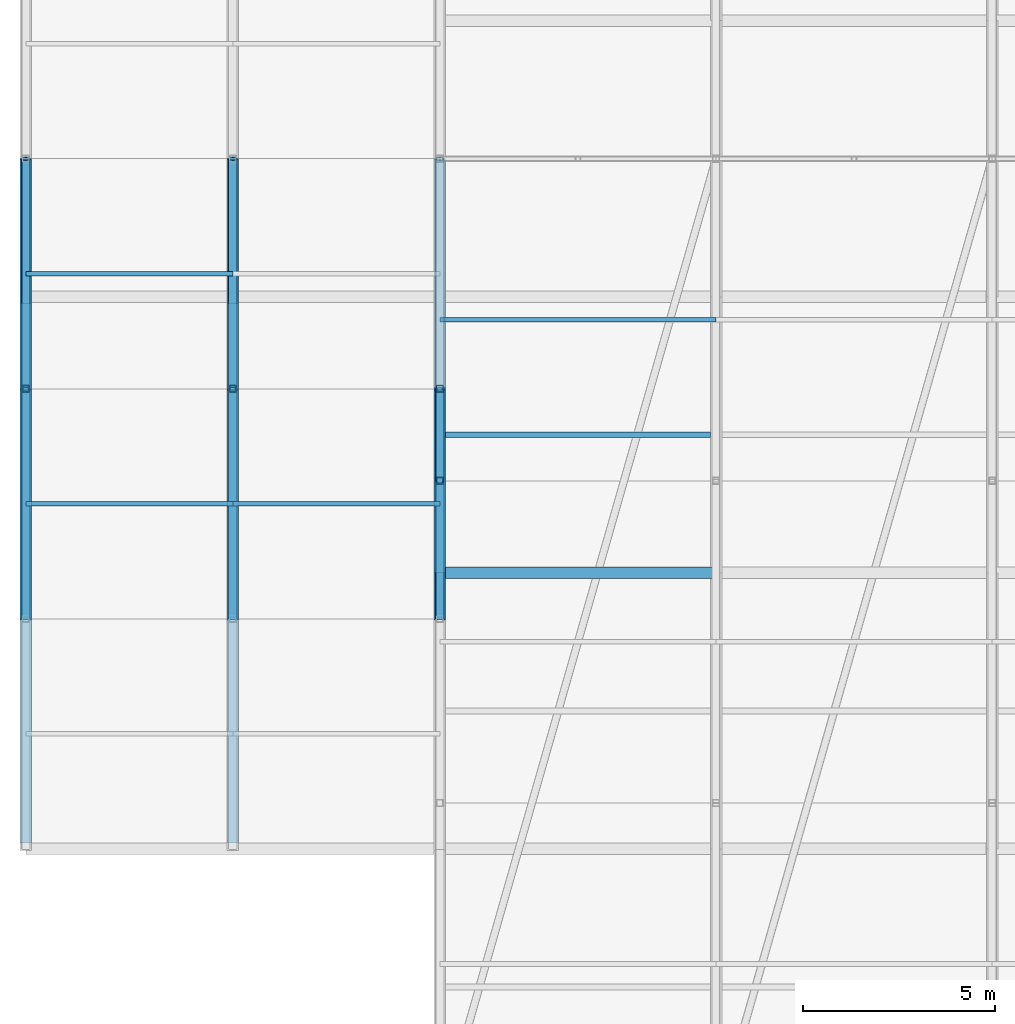
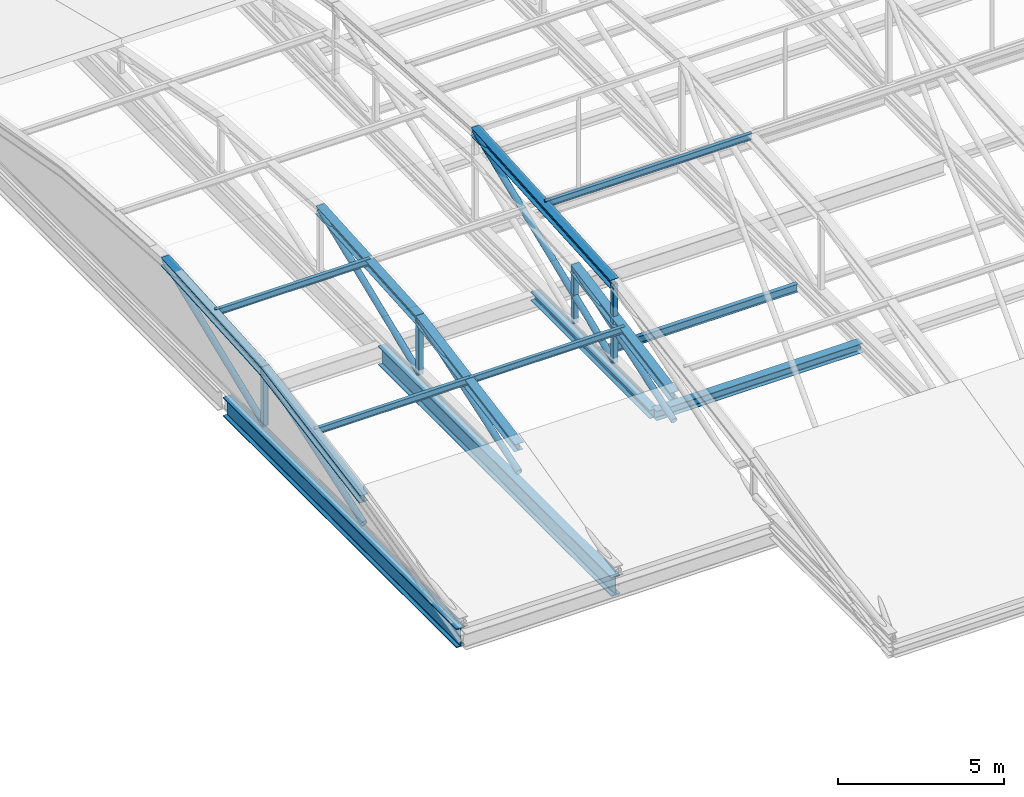
# One storey, part 21 of 76: 16 members, 9 beams.
"""IFC4 building model written with IfcOpenShell, lengths in metres."""

from ifc_helpers import new_model, si_unit, direction, frame, origin, origin_2d, place, context, subcontext, project, spatial, hollow_rectangle, hollow_circle, i_section, extrude, material, material_profile, profile_set, type_object, element, save


model = new_model("IFC4")

# Units and contexts
model_context = context("Model", 3, precision=1e-05, world=origin(), true_north=direction((0.0, 1.0)))
body_context = subcontext(model_context, "Body", "Model", "MODEL_VIEW")
ifc_project = project(units=[si_unit("LENGTHUNIT", "METRE"), si_unit("AREAUNIT", "SQUARE_METRE"), si_unit("VOLUMEUNIT", "CUBIC_METRE"), si_unit("PLANEANGLEUNIT", "RADIAN"), si_unit("MASSUNIT", "GRAM", prefix="KILO")], contexts=[model_context])

# Site, building, storey
site_placement = place(None, origin())
site = spatial("IfcSite", under=ifc_project, at=site_placement, CompositionType="ELEMENT")
building_placement = place(site_placement, origin())
building = spatial("IfcBuilding", under=site, at=building_placement, Name="Zlatovets Crest Museum", CompositionType="ELEMENT")
storey_placement = place(building_placement, frame((0.0, 0.0, 17.10009765625)))
storey = spatial("IfcBuildingStorey", under=building, at=storey_placement, Name="L04", CompositionType="ELEMENT", Elevation=17.10009765625)

# Beams
ifc_material = material(Name="Structural steel S355J2", Category="steel")
ifc_material_profile_1 = material_profile(ifc_material, i_section(OverallWidth=0.300048828125, OverallDepth=0.35009765625, WebThickness=0.010009765625, FlangeThickness=0.017578125, FilletRadius=0.027099609375, at=origin_2d()), Name="HEA 360")
ifc_profile_set_1 = profile_set([ifc_material_profile_1], Name="Structural steel S355J2")
beam_type_1 = type_object("IfcBeamType", Name="Beam_B-03", PredefinedType="BEAM", material=ifc_profile_set_1)
beam_1_placement = place(storey_placement, frame((7.199951171875, 64.800048828125, -0.39501953125), z_axis=(1.0, 0.0, 0.0), x_axis=(0.0, 1.0, 0.0)))
element("IfcBeam", 1, at=beam_1_placement, inside=storey, type_object=beam_type_1, Name="V4 L04 Primary Girder B-03", PredefinedType="BEAM", context=body_context, shape_type="SweptSolid", body=[
    extrude(i_section(OverallWidth=0.300048828125, OverallDepth=0.35009765625, WebThickness=0.010009765625, FlangeThickness=0.017578125, FilletRadius=0.027099609375, at=origin_2d()), origin(), (0.0, 0.0, 1.0), 7.199951171875),
])
ifc_material_profile_2 = material_profile(ifc_material, i_section(OverallWidth=0.300048828125, OverallDepth=0.31005859375, WebThickness=0.009033203125, FlangeThickness=0.015380859375, FilletRadius=0.027099609375, at=origin_2d()), Name="HEA 320")
ifc_profile_set_2 = profile_set([ifc_material_profile_2], Name="Structural steel S355J2")
beam_type_2 = type_object("IfcBeamType", Name="Beam_B-04", PredefinedType="BEAM", material=ifc_profile_set_2)
beam_2_placement = place(storey_placement, frame((7.199951171875, 64.800048828125, -0.375), z_axis=(0.0, 1.0, 0.0), x_axis=(-1.0, 0.0, 0.0)))
element("IfcBeam", 2, at=beam_2_placement, inside=storey, type_object=beam_type_2, Name="V4 L04 Grid Beam B-04", PredefinedType="BEAM", context=body_context, shape_type="SweptSolid", body=[
    extrude(i_section(OverallWidth=0.300048828125, OverallDepth=0.31005859375, WebThickness=0.009033203125, FlangeThickness=0.015380859375, FilletRadius=0.027099609375, at=origin_2d()), origin(), (0.0, 0.0, 1.0), 7.199951171875),
])
ifc_material_profile_3 = material_profile(ifc_material, i_section(OverallWidth=0.300048828125, OverallDepth=0.699951171875, WebThickness=0.01708984375, FlangeThickness=0.031982421875, FilletRadius=0.027099609375, at=origin_2d()), Name="HEB 700")
ifc_profile_set_3 = profile_set([ifc_material_profile_3], Name="Structural steel S355J2")
beam_type_3 = type_object("IfcBeamType", Name="Beam_B-08", PredefinedType="BEAM", material=ifc_profile_set_3)
for number, where, z_axis, x_axis, name in (
    (3, (-3.60009765625, 57.760009765625, -0.570068359375), (0.0, 1.0, 0.0), (-1.0, 0.0, 0.0), "Cantilever Gallery Roof Springing Beam B-08"),
    (4, (1.800048828125, 57.760009765625, -0.570068359375), (0.0, 1.0, 0.0), (-1.0, 0.0, 0.0), "Cantilever Gallery Roof Springing Beam B-08"),
):
    element("IfcBeam", number, at=place(storey_placement, frame(where, z_axis=z_axis, x_axis=x_axis)), inside=storey, type_object=beam_type_3, Name=name, PredefinedType="BEAM", context=body_context, shape_type="SweptSolid", body=[
        extrude(i_section(OverallWidth=0.300048828125, OverallDepth=0.699951171875, WebThickness=0.01708984375, FlangeThickness=0.031982421875, FilletRadius=0.027099609375, at=origin_2d()), origin(), (0.0, 0.0, 1.0), 14.080078125),
    ])
ifc_material_profile_4 = material_profile(ifc_material, i_section(OverallWidth=0.14990234375, OverallDepth=0.300048828125, WebThickness=0.007080078125, FlangeThickness=0.0107421875, FilletRadius=0.014892578125, at=origin_2d()), Name="IPE 300")
ifc_profile_set_4 = profile_set([ifc_material_profile_4], Name="Structural steel S355J2")
beam_type_4 = type_object("IfcBeamType", Name="Beam_J-02", PredefinedType="JOIST", material=ifc_profile_set_4)
beam_3_placement = place(storey_placement, frame((7.35009765625, 68.39990234375, -0.3701171875), z_axis=(1.0, 0.0, 0.0), x_axis=(0.0, 1.0, 0.0)))
element("IfcBeam", 5, at=beam_3_placement, inside=storey, type_object=beam_type_4, Name="V4 L04 Composite Joist J-02", PredefinedType="JOIST", context=body_context, shape_type="SweptSolid", body=[
    extrude(i_section(OverallWidth=0.14990234375, OverallDepth=0.300048828125, WebThickness=0.007080078125, FlangeThickness=0.0107421875, FilletRadius=0.014892578125, at=origin_2d()), origin(), (0.0, 0.0, 1.0), 6.89990234375),
])
ifc_material_profile_5 = material_profile(ifc_material, i_section(OverallWidth=0.1201171875, OverallDepth=0.239990234375, WebThickness=0.006103515625, FlangeThickness=0.009765625, FilletRadius=0.014892578125, at=origin_2d()), Name="IPE 240")
ifc_profile_set_5 = profile_set([ifc_material_profile_5], Name="Structural steel S355J2")
beam_type_5 = type_object("IfcBeamType", Name="Beam_PR-01", PredefinedType="BEAM", material=ifc_profile_set_5)
beam_4_placement = place(storey_placement, frame((7.199951171875, 71.39990234375, 3.33203125), z_axis=(1.0, 0.0, 0.0), x_axis=(0.0, 1.0, 0.0)))
element("IfcBeam", 6, at=beam_4_placement, inside=storey, type_object=beam_type_5, Name="V4 Barrel Vault Longitudinal Purlin", PredefinedType="BEAM", context=body_context, shape_type="SweptSolid", body=[
    extrude(i_section(OverallWidth=0.1201171875, OverallDepth=0.239990234375, WebThickness=0.006103515625, FlangeThickness=0.009765625, FilletRadius=0.014892578125, at=origin_2d()), origin(), (0.0, 0.0, 1.0), 7.199951171875),
])
for number, where, z_axis, x_axis, name in (
    (7, (-3.60009765625, 66.60009765625, 1.64892578125), (1.0, 0.0, 0.0), (0.0, 1.0, 0.0), "V4 Barrel Vault Longitudinal Purlin"),
    (8, (-3.60009765625, 72.60009765625, 2.39892578125), (1.0, 0.0, 0.0), (0.0, 1.0, 0.0), "V4 Barrel Vault Longitudinal Purlin"),
):
    element("IfcBeam", number, at=place(storey_placement, frame(where, z_axis=z_axis, x_axis=x_axis)), inside=storey, type_object=beam_type_5, Name=name, PredefinedType="BEAM", context=body_context, shape_type="SweptSolid", body=[
        extrude(i_section(OverallWidth=0.1201171875, OverallDepth=0.239990234375, WebThickness=0.006103515625, FlangeThickness=0.009765625, FilletRadius=0.014892578125, at=origin_2d()), origin(), (0.0, 0.0, 1.0), 5.400146484375),
    ])
beam_5_placement = place(storey_placement, frame((1.800048828125, 66.60009765625, 1.64892578125), z_axis=(1.0, 0.0, 0.0), x_axis=(0.0, 1.0, 0.0)))
element("IfcBeam", 9, at=beam_5_placement, inside=storey, type_object=beam_type_5, Name="V4 Barrel Vault Longitudinal Purlin", PredefinedType="BEAM", context=body_context, shape_type="SweptSolid", body=[
    extrude(i_section(OverallWidth=0.1201171875, OverallDepth=0.239990234375, WebThickness=0.006103515625, FlangeThickness=0.009765625, FilletRadius=0.014892578125, at=origin_2d()), origin(), (0.0, 0.0, 1.0), 5.39990234375),
])

# Members
ifc_material_profile_6 = material_profile(ifc_material, i_section(OverallWidth=0.300048828125, OverallDepth=0.31005859375, WebThickness=0.009033203125, FlangeThickness=0.015380859375, FilletRadius=0.027099609375, at=origin_2d()), Name="HEA 320")
ifc_profile_set_6 = profile_set([ifc_material_profile_6], Name="Structural steel S355J2")
member_type_1 = type_object("IfcMemberType", Name="Member_TM-02", PredefinedType="RAFTER", material=ifc_profile_set_6)
member_1_placement = place(storey_placement, frame((7.199951171875, 67.199951171875, 2.964111328125), z_axis=(0.0, 0.997971279214, 0.063665735399), x_axis=(-1.0, 0.0, 0.0)))
element("IfcMember", 10, at=member_1_placement, inside=storey, type_object=member_type_1, Name="V4 Art Nouveau Curved Vault Rib", PredefinedType="RAFTER", context=body_context, shape_type="SweptSolid", body=[
    extrude(i_section(OverallWidth=0.300048828125, OverallDepth=0.31005859375, WebThickness=0.009033203125, FlangeThickness=0.015380859375, FilletRadius=0.027099609375, at=origin_2d()), origin(), (0.0, 0.0, 1.0), 8.417236328125),
])
member_2_placement = place(storey_placement, frame((-3.60009765625, 63.60009765625, 1.0), z_axis=(0.0, 0.983667555807, 0.179994832294), x_axis=(-1.0, 0.0, 0.0)))
element("IfcMember", 11, at=member_2_placement, inside=storey, type_object=member_type_1, Name="V4 Art Nouveau Curved Vault Rib", PredefinedType="RAFTER", context=body_context, shape_type="SweptSolid", body=[
    extrude(i_section(OverallWidth=0.300048828125, OverallDepth=0.31005859375, WebThickness=0.009033203125, FlangeThickness=0.015380859375, FilletRadius=0.027099609375, at=origin_2d()), origin(), (0.0, 0.0, 1.0), 6.099609375),
])
member_3_placement = place(storey_placement, frame((-3.60009765625, 69.60009765625, 2.097900390625), z_axis=(0.0, 0.997761923521, 0.066866613283), x_axis=(-1.0, 0.0, 0.0)))
element("IfcMember", 12, at=member_3_placement, inside=storey, type_object=member_type_1, Name="V4 Art Nouveau Curved Vault Rib", PredefinedType="RAFTER", context=body_context, shape_type="SweptSolid", body=[
    extrude(i_section(OverallWidth=0.300048828125, OverallDepth=0.31005859375, WebThickness=0.009033203125, FlangeThickness=0.015380859375, FilletRadius=0.027099609375, at=origin_2d()), origin(), (0.0, 0.0, 1.0), 6.013427734375),
])
member_4_placement = place(storey_placement, frame((1.800048828125, 63.60009765625, 1.0), z_axis=(0.0, 0.983667555807, 0.179994832294), x_axis=(-1.0, 0.0, 0.0)))
element("IfcMember", 13, at=member_4_placement, inside=storey, type_object=member_type_1, Name="V4 Art Nouveau Curved Vault Rib", PredefinedType="RAFTER", context=body_context, shape_type="SweptSolid", body=[
    extrude(i_section(OverallWidth=0.300048828125, OverallDepth=0.31005859375, WebThickness=0.009033203125, FlangeThickness=0.015380859375, FilletRadius=0.027099609375, at=origin_2d()), origin(), (0.0, 0.0, 1.0), 6.099609375),
])
member_5_placement = place(storey_placement, frame((1.800048828125, 69.60009765625, 2.097900390625), z_axis=(0.0, 0.997761923521, 0.066866613283), x_axis=(-1.0, 0.0, 0.0)))
element("IfcMember", 14, at=member_5_placement, inside=storey, type_object=member_type_1, Name="V4 Art Nouveau Curved Vault Rib", PredefinedType="RAFTER", context=body_context, shape_type="SweptSolid", body=[
    extrude(i_section(OverallWidth=0.300048828125, OverallDepth=0.31005859375, WebThickness=0.009033203125, FlangeThickness=0.015380859375, FilletRadius=0.027099609375, at=origin_2d()), origin(), (0.0, 0.0, 1.0), 6.013427734375),
])
member_6_placement = place(storey_placement, frame((7.199951171875, 63.60009765625, 1.0), z_axis=(0.0, 0.983667555807, 0.179994832294), x_axis=(-1.0, 0.0, 0.0)))
element("IfcMember", 15, at=member_6_placement, inside=storey, type_object=member_type_1, Name="V4 Art Nouveau Curved Vault Rib", PredefinedType="RAFTER", context=body_context, shape_type="SweptSolid", body=[
    extrude(i_section(OverallWidth=0.300048828125, OverallDepth=0.31005859375, WebThickness=0.009033203125, FlangeThickness=0.015380859375, FilletRadius=0.027099609375, at=origin_2d()), origin(), (0.0, 0.0, 1.0), 6.099609375),
])
ifc_material_profile_7 = material_profile(ifc_material, hollow_rectangle(XDim=0.179931640625, YDim=0.179931640625, WallThickness=0.010009765625, InnerFilletRadius=0.010009765625, OuterFilletRadius=0.02001953125, at=origin_2d()), Name="SHS 180x180x10.0")
ifc_profile_set_7 = profile_set([ifc_material_profile_7], Name="Structural steel S355J2")
member_type_2 = type_object("IfcMemberType", Name="Member_TM-04", PredefinedType="STRUT", material=ifc_profile_set_7)
member_7_placement = place(storey_placement, frame((7.199951171875, 67.199951171875, 0.079833984375), z_axis=(0.0, 0.0, 1.0), x_axis=(1.0, 0.0, 0.0)))
element("IfcMember", 16, at=member_7_placement, inside=storey, type_object=member_type_2, Name="V4 Barrel Vault Web Strut", PredefinedType="STRUT", context=body_context, shape_type="SweptSolid", body=[
    extrude(hollow_rectangle(XDim=0.179931640625, YDim=0.179931640625, WallThickness=0.010009765625, InnerFilletRadius=0.010009765625, OuterFilletRadius=0.02001953125, at=origin_2d()), origin(), (0.0, 0.0, 1.0), 2.88427734375),
])
for number, where, z_axis, x_axis, name in (
    (17, (-3.60009765625, 69.60009765625, 0.079833984375), (0.0, 0.0, 1.0), (1.0, 0.0, 0.0), "V4 Barrel Vault Web Strut"),
    (18, (1.800048828125, 69.60009765625, 0.079833984375), (0.0, 0.0, 1.0), (1.0, 0.0, 0.0), "V4 Barrel Vault Web Strut"),
    (19, (7.199951171875, 69.60009765625, 0.079833984375), (0.0, 0.0, 1.0), (1.0, 0.0, 0.0), "V4 Barrel Vault Web Strut"),
):
    element("IfcMember", number, at=place(storey_placement, frame(where, z_axis=z_axis, x_axis=x_axis)), inside=storey, type_object=member_type_2, Name=name, PredefinedType="STRUT", context=body_context, shape_type="SweptSolid", body=[
        extrude(hollow_rectangle(XDim=0.179931640625, YDim=0.179931640625, WallThickness=0.010009765625, InnerFilletRadius=0.010009765625, OuterFilletRadius=0.02001953125, at=origin_2d()), origin(), (0.0, 0.0, 1.0), 2.01806640625),
    ])
ifc_material_profile_8 = material_profile(ifc_material, hollow_circle(Radius=0.109619140625, WallThickness=0.010009765625, at=origin_2d()), Name="CHS 219.1x10.0")
ifc_profile_set_8 = profile_set([ifc_material_profile_8], Name="Structural steel S355J2")
member_type_3 = type_object("IfcMemberType", Name="Member_TM-05", PredefinedType="BRACE", material=ifc_profile_set_8)
member_8_placement = place(storey_placement, frame((7.199951171875, 67.199951171875, 0.079833984375), z_axis=(0.0, 0.926173852742, 0.377096797252), x_axis=(-1.0, 0.0, 0.0)))
element("IfcMember", 20, at=member_8_placement, inside=storey, type_object=member_type_3, Name="V4 Barrel Vault Web Diagonal", PredefinedType="BRACE", context=body_context, shape_type="SweptSolid", body=[
    extrude(hollow_circle(Radius=0.109619140625, WallThickness=0.010009765625, at=origin_2d()), origin(), (0.0, 0.0, 1.0), 9.06982421875),
])
member_9_placement = place(storey_placement, frame((-3.60009765625, 63.60009765625, 0.079833984375), z_axis=(0.0, 0.947823632503, 0.318795171967), x_axis=(-1.0, 0.0, 0.0)))
element("IfcMember", 21, at=member_9_placement, inside=storey, type_object=member_type_3, Name="V4 Barrel Vault Web Diagonal", PredefinedType="BRACE", context=body_context, shape_type="SweptSolid", body=[
    extrude(hollow_circle(Radius=0.109619140625, WallThickness=0.010009765625, at=origin_2d()), origin(), (0.0, 0.0, 1.0), 6.330322265625),
])
member_10_placement = place(storey_placement, frame((-3.60009765625, 69.60009765625, 0.079833984375), z_axis=(0.0, 0.927397979526, 0.374076178835), x_axis=(-1.0, 0.0, 0.0)))
element("IfcMember", 22, at=member_10_placement, inside=storey, type_object=member_type_3, Name="V4 Barrel Vault Web Diagonal", PredefinedType="BRACE", context=body_context, shape_type="SweptSolid", body=[
    extrude(hollow_circle(Radius=0.109619140625, WallThickness=0.010009765625, at=origin_2d()), origin(), (0.0, 0.0, 1.0), 6.4697265625),
])
member_11_placement = place(storey_placement, frame((1.800048828125, 63.60009765625, 0.079833984375), z_axis=(0.0, 0.947823632503, 0.318795171967), x_axis=(-1.0, 0.0, 0.0)))
element("IfcMember", 23, at=member_11_placement, inside=storey, type_object=member_type_3, Name="V4 Barrel Vault Web Diagonal", PredefinedType="BRACE", context=body_context, shape_type="SweptSolid", body=[
    extrude(hollow_circle(Radius=0.109619140625, WallThickness=0.010009765625, at=origin_2d()), origin(), (0.0, 0.0, 1.0), 6.330322265625),
])
member_12_placement = place(storey_placement, frame((1.800048828125, 69.60009765625, 0.079833984375), z_axis=(0.0, 0.927397979526, 0.374076178835), x_axis=(-1.0, 0.0, 0.0)))
element("IfcMember", 24, at=member_12_placement, inside=storey, type_object=member_type_3, Name="V4 Barrel Vault Web Diagonal", PredefinedType="BRACE", context=body_context, shape_type="SweptSolid", body=[
    extrude(hollow_circle(Radius=0.109619140625, WallThickness=0.010009765625, at=origin_2d()), origin(), (0.0, 0.0, 1.0), 6.4697265625),
])
member_13_placement = place(storey_placement, frame((7.199951171875, 63.60009765625, 0.079833984375), z_axis=(0.0, 0.947823632503, 0.318795171967), x_axis=(-1.0, 0.0, 0.0)))
element("IfcMember", 25, at=member_13_placement, inside=storey, type_object=member_type_3, Name="V4 Barrel Vault Web Diagonal", PredefinedType="BRACE", context=body_context, shape_type="SweptSolid", body=[
    extrude(hollow_circle(Radius=0.109619140625, WallThickness=0.010009765625, at=origin_2d()), origin(), (0.0, 0.0, 1.0), 6.330322265625),
])

save(model, "model.ifc")
